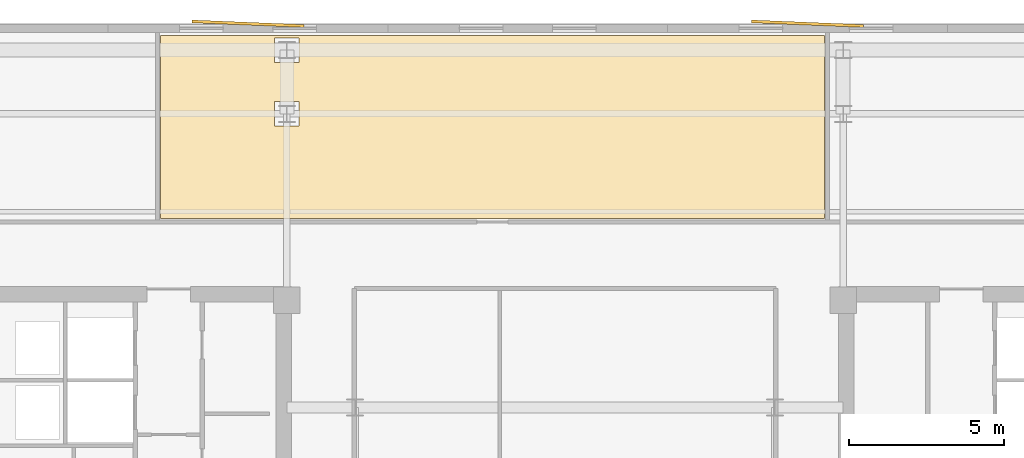
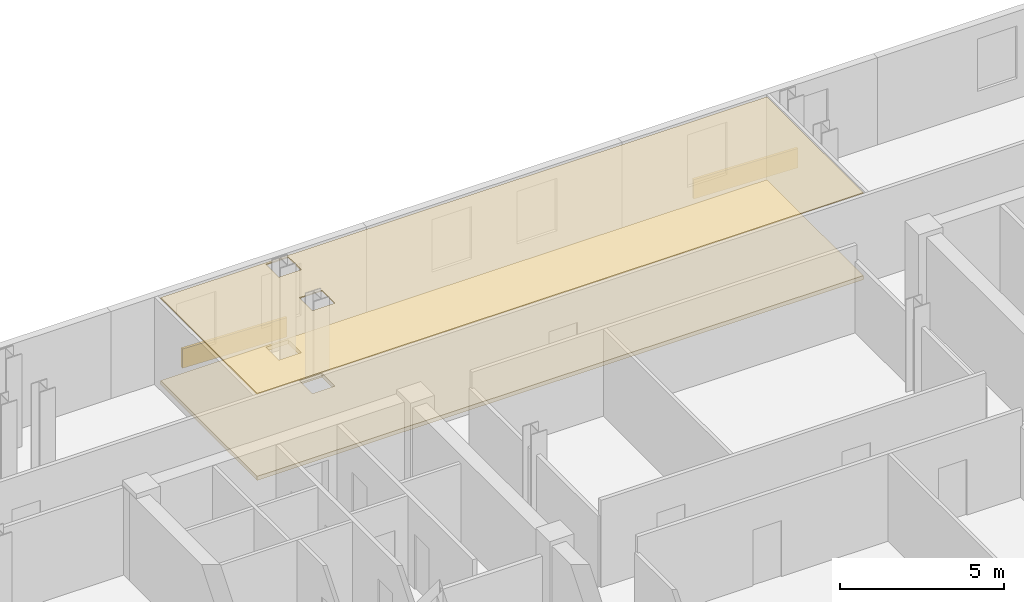
# One storey, part 9 of 9: 4 coverings.
"""IFC4 building model written with IfcOpenShell, lengths in metres."""

import ifcopenshell
import ifcopenshell.guid

model = None  # the IFC model being written
_history = None  # IfcOwnerHistory: only IFC2X3 demands one
_inside = {}  # id of a spatial element -> (the spatial element, [elements in it])
_under = {}  # id of a project, library or spatial element -> (it, [spatial elements below it])
_declared = {}  # id of a project -> (the project, [libraries it declares])
_typed = {}  # id of a type object -> (the type object, [elements of that type])
_made_of = {}  # id of a material, layer set ... -> (it, [elements and type objects made of it])


def new_model(schema):
    """Start an empty IFC model of exactly this schema.

    Asked for "IFC4X3", IfcOpenShell would pick the latest addendum, in which some entities
    have other attributes; the version numbers below select the first issue.
    IFC2X3 requires an IfcOwnerHistory on every rooted entity: one is made here for all.
    """
    global model, _history
    if schema == "IFC4X3":
        model = ifcopenshell.file(schema_version=(4, 3, 0, 0))
    else:
        model = ifcopenshell.file(schema=schema)
    _inside.clear()
    _under.clear()
    _declared.clear()
    _typed.clear()
    _made_of.clear()
    _history = None
    if model.schema == "IFC2X3":
        org = make("IfcOrganization", Name="unknown")
        user = make(
            "IfcPersonAndOrganization",
            ThePerson=make("IfcPerson", FamilyName="unknown"),
            TheOrganization=org,
        )
        app = make(
            "IfcApplication",
            ApplicationDeveloper=org,
            Version="unknown",
            ApplicationFullName="unknown",
            ApplicationIdentifier="unknown",
        )
        _history = make(
            "IfcOwnerHistory",
            OwningUser=user,
            OwningApplication=app,
            ChangeAction="ADDED",
            CreationDate=0,
        )
    return model


def make(cls, **values):
    """One entity of the class cls with the attributes given. An attribute that is None is left unset."""
    return model.create_entity(
        cls, **{name: value for name, value in values.items() if value is not None}
    )


def rooted(cls, **values):
    """An entity with a GlobalId (a new one), such as an element, a storey or a relation."""
    return make(cls, GlobalId=ifcopenshell.guid.new(), OwnerHistory=_history, **values)


def si_unit(unit_type, name, prefix=None):
    """IfcSIUnit, for example si_unit("LENGTHUNIT", "METRE", prefix="MILLI")."""
    return make("IfcSIUnit", UnitType=unit_type, Prefix=prefix, Name=name)


def assignment(units):
    """IfcUnitAssignment: the units of a project."""
    return None if units is None else make("IfcUnitAssignment", Units=units)


def point(xyz):
    """IfcCartesianPoint."""
    return None if xyz is None else make("IfcCartesianPoint", Coordinates=xyz)


def direction(xyz):
    """IfcDirection."""
    return None if xyz is None else make("IfcDirection", DirectionRatios=xyz)


def frame(location, z_axis=None, x_axis=None):
    """IfcAxis2Placement3D, a coordinate frame: its origin and axes. An axis left out is left unset."""
    return make(
        "IfcAxis2Placement3D",
        Location=point(location),
        Axis=direction(z_axis),
        RefDirection=direction(x_axis),
    )


def frame_2d(location, x_axis=None):
    """IfcAxis2Placement2D, a coordinate frame in the plane: its origin and x axis."""
    return make(
        "IfcAxis2Placement2D", Location=point(location), RefDirection=direction(x_axis)
    )


def origin():
    """The frame at (0, 0, 0) with its axes left unset."""
    return frame((0.0, 0.0, 0.0))


def origin_2d():
    """The frame at (0, 0) in the plane with its x axis left unset."""
    return frame_2d((0.0, 0.0))


def place(relative_to, where):
    """IfcLocalPlacement: puts the frame where relative to a parent placement (None: the world)."""
    return make(
        "IfcLocalPlacement", PlacementRelTo=relative_to, RelativePlacement=where
    )


def context(
    kind, dimensions, precision=None, world=None, true_north=None, identifier=None
):
    """IfcGeometricRepresentationContext, for example the 3D "Model" context."""
    return make(
        "IfcGeometricRepresentationContext",
        ContextIdentifier=identifier,
        ContextType=kind,
        CoordinateSpaceDimension=dimensions,
        Precision=precision,
        WorldCoordinateSystem=world,
        TrueNorth=true_north,
    )


def subcontext(parent, identifier, kind, view, scale=None):
    """IfcGeometricRepresentationSubContext, for example "Body" below "Model"."""
    return make(
        "IfcGeometricRepresentationSubContext",
        ContextIdentifier=identifier,
        ContextType=kind,
        ParentContext=parent,
        TargetScale=scale,
        TargetView=view,
    )


def project(units=None, contexts=None):
    """IfcProject with its units and contexts."""
    return rooted(
        "IfcProject",
        Name="project",
        RepresentationContexts=contexts,
        UnitsInContext=assignment(units),
    )


def spatial(cls, under=None, at=None, **own):
    """A site, building, storey or space (cls), placed at a placement, below another one or the project."""
    s = rooted(cls, ObjectPlacement=at, **own)
    if under is not None:
        _under.setdefault(under.id(), (under, []))[1].append(s)
    return s


def polyline(points):
    """IfcPolyline through the points."""
    return make("IfcPolyline", Points=[point(p) for p in points])


def profile(cls, at=None, kind="AREA", **sizes):
    """A parametric profile (cls). Its sizes go by their IFC names, for example OverallWidth=200.0."""
    return make(cls, ProfileType=kind, Position=at, **sizes)


def rectangle(**sizes):
    """IfcRectangleProfileDef."""
    return profile("IfcRectangleProfileDef", **sizes)


def outline(outer, holes=None, kind="AREA"):
    """IfcArbitraryClosedProfileDef: a profile drawn as a closed curve; with holes, ...WithVoids."""
    if holes is None:
        return make("IfcArbitraryClosedProfileDef", ProfileType=kind, OuterCurve=outer)
    return make(
        "IfcArbitraryProfileDefWithVoids",
        ProfileType=kind,
        OuterCurve=outer,
        InnerCurves=holes,
    )


def extrude(swept, where, along, depth):
    """IfcExtrudedAreaSolid: the profile swept, set in the frame where, extruded along a direction by depth."""
    return make(
        "IfcExtrudedAreaSolid",
        SweptArea=swept,
        Position=where,
        ExtrudedDirection=direction(along),
        Depth=depth,
    )


def shape(context_of_items, identifier, shape_type, items):
    """IfcShapeRepresentation: the items that make up one representation, for example the "Body"."""
    return make(
        "IfcShapeRepresentation",
        ContextOfItems=context_of_items,
        RepresentationIdentifier=identifier,
        RepresentationType=shape_type,
        Items=items,
    )


def material(Name=None, Category=None):
    """IfcMaterial."""
    return make("IfcMaterial", Name=Name, Category=Category)


def layer(
    of_material, thickness, ventilated=None, Name=None, Category=None, Priority=None
):
    """IfcMaterialLayer: one layer of a wall or slab, of a material (None: an air gap)."""
    return make(
        "IfcMaterialLayer",
        Material=of_material,
        LayerThickness=thickness,
        IsVentilated=ventilated,
        Name=Name,
        Category=Category,
        Priority=Priority,
    )


def layer_set(layers, Name=None):
    """IfcMaterialLayerSet."""
    return make("IfcMaterialLayerSet", MaterialLayers=layers, LayerSetName=Name)


def made_of(thing, what):
    """Note that an element or type object is made of a material, layer set ...; save() writes the relation."""
    if what is not None:
        _made_of.setdefault(what.id(), (what, []))[1].append(thing)
    return thing


def type_object(cls, material=None, **own):
    """A type object (cls), such as IfcWallType, which elements share."""
    return made_of(rooted(cls, **own), material)


def element(
    cls,
    number,
    at=None,
    inside=None,
    cuts=None,
    type_object=None,
    material=None,
    context=None,
    identifier="Body",
    shape_type=None,
    held_by="IfcProductDefinitionShape",
    body=None,
    shapes=None,
    **own,
):
    """One element of the class cls, such as IfcWall. Its Tag is "e" and its number.

    at: its placement. inside: the storey or other place that contains it. cuts: it is an
    opening in that element (IfcRelVoidsElement). A single representation is given by context,
    identifier, shape_type and body (its items); several are given by shapes. held_by: the class
    of the entity that holds the representations. save() writes the other relations.
    """
    e = rooted(cls, Tag="e%d" % number, ObjectPlacement=at, **own)
    if body is not None:
        shapes = [shape(context, identifier, shape_type, body)]
    if shapes is not None:
        e.Representation = make(held_by, Representations=shapes)
    if inside is not None:
        _inside.setdefault(inside.id(), (inside, []))[1].append(e)
    if cuts is not None:
        rooted(
            "IfcRelVoidsElement", RelatingBuildingElement=cuts, RelatedOpeningElement=e
        )
    if type_object is not None:
        _typed.setdefault(type_object.id(), (type_object, []))[1].append(e)
    return made_of(e, material)


def aggregate(whole, parts):
    """IfcRelAggregates: a whole, such as a stair, and the parts it consists of."""
    return rooted("IfcRelAggregates", RelatingObject=whole, RelatedObjects=parts)


def save(model, path):
    """Write the relations noted so far, then the file.

    IfcRelAggregates (storeys below a building ...), IfcRelContainedInSpatialStructure (elements
    in a storey), IfcRelDefinesByType, IfcRelAssociatesMaterial and IfcRelDeclares: one each for
    every whole, place, type object, material and project.
    """
    for whole, parts in _under.values():
        aggregate(whole, parts)
    for where, things in _inside.values():
        rooted(
            "IfcRelContainedInSpatialStructure",
            RelatedElements=things,
            RelatingStructure=where,
        )
    for kind, things in _typed.values():
        rooted("IfcRelDefinesByType", RelatedObjects=things, RelatingType=kind)
    for what, things in _made_of.values():
        rooted("IfcRelAssociatesMaterial", RelatedObjects=things, RelatingMaterial=what)
    for by, libraries in _declared.values():
        rooted("IfcRelDeclares", RelatingContext=by, RelatedDefinitions=libraries)
    model.write(path)


model = new_model("IFC4")

# Units and contexts
model_context = context("Model", 3, precision=1e-05, world=origin(), true_north=direction((0.0, 1.0)))
body_context = subcontext(model_context, "Body", "Model", "MODEL_VIEW")
ifc_project = project(units=[si_unit("LENGTHUNIT", "METRE"), si_unit("AREAUNIT", "SQUARE_METRE"), si_unit("VOLUMEUNIT", "CUBIC_METRE"), si_unit("PLANEANGLEUNIT", "RADIAN"), si_unit("MASSUNIT", "GRAM", prefix="KILO")], contexts=[model_context])

# Site, building, storey
site_placement = place(None, origin())
site = spatial("IfcSite", under=ifc_project, at=site_placement, CompositionType="ELEMENT")
building_placement = place(site_placement, origin())
building = spatial("IfcBuilding", under=site, at=building_placement, Name="Velakula Bourse", CompositionType="ELEMENT")
storey_placement = place(building_placement, frame((0.0, 0.0, 208.5)))
storey = spatial("IfcBuildingStorey", under=building, at=storey_placement, Name="L56", CompositionType="ELEMENT", Elevation=208.5)

# Coverings
ifc_material_1 = material(Name="Red kilned clay facing brick masonry", Category="masonry")
ifc_layer_1 = layer(ifc_material_1, 0.090087890625, Name="Red kilned clay facing brick masonry", Category="masonry")
ifc_layer_set_1 = layer_set([ifc_layer_1], Name="Red kilned clay facing brick masonry")
covering_type_1 = type_object("IfcCoveringType", Name="COV-BRK-FOLD-90", PredefinedType="CLADDING", material=ifc_layer_set_1)
for number, where, z_axis, x_axis, name in (
    (1, (-10.199951171875, 17.5, 0.0), (0.0, 0.0, 1.0), (0.999158993058, -0.041003738744, 0.0), "L56 Folded Brick Facade Cladding Panel N-B2"),
    (2, (7.800048828125, 17.5, 0.0), (0.0, 0.0, 1.0), (0.999158993058, -0.041003738744, 0.0), "L56 Folded Brick Facade Cladding Panel N-B4"),
):
    element("IfcCovering", number, at=place(storey_placement, frame(where, z_axis=z_axis, x_axis=x_axis)), inside=storey, type_object=covering_type_1, Name=name, PredefinedType="CLADDING", context=body_context, shape_type="SweptSolid", body=[
        extrude(rectangle(XDim=3.60009765625, YDim=0.090087890625, at=origin_2d()), origin(), (0.0, 0.0, 1.0), 0.719970703125),
    ])
ifc_material_2 = material(Name="Mineral-fibre acoustic suspended ceiling tile", Category="mineral")
ifc_layer_2 = layer(ifc_material_2, 0.0400390625, Name="Mineral-fibre acoustic suspended ceiling tile", Category="mineral")
ifc_layer_set_2 = layer_set([ifc_layer_2], Name="Mineral-fibre acoustic suspended ceiling tile")
covering_type_2 = type_object("IfcCoveringType", Name="COV-CEIL-AC-40", PredefinedType="CEILING", material=ifc_layer_set_2)
covering_1_placement = place(storey_placement, frame((0.0, 0.0, 3.199951171875)))
element("IfcCovering", 3, at=covering_1_placement, inside=storey, type_object=covering_type_2, Name="L56 Peer Review Boardroom Acoustic Suspended Ceiling", PredefinedType="CEILING", context=body_context, shape_type="SweptSolid", body=[
    extrude(outline(polyline([(8.342041015625, 11.22998046875), (-13.010986328125, 11.22998046875), (-13.010986328125, 17.1201171875), (8.342041015625, 17.1201171875), (8.342041015625, 11.22998046875)]), holes=[polyline([(-9.344970703125, 14.205078125), (-8.554931640625, 14.205078125), (-8.554931640625, 14.9951171875), (-9.344970703125, 14.9951171875), (-9.344970703125, 14.205078125)]), polyline([(-9.344970703125, 16.2548828125), (-8.554931640625, 16.2548828125), (-8.554931640625, 17.044921875), (-9.344970703125, 17.044921875), (-9.344970703125, 16.2548828125)])]), origin(), (0.0, 0.0, 1.0), 0.0400390625),
])
ifc_material_3 = material(Name="Calcium-sulphate antistatic raised access flooring", Category="gypsum")
ifc_layer_3 = layer(ifc_material_3, 0.14990234375, Name="Calcium-sulphate antistatic raised access flooring", Category="gypsum")
ifc_layer_set_3 = layer_set([ifc_layer_3], Name="Calcium-sulphate antistatic raised access flooring")
covering_type_3 = type_object("IfcCoveringType", Name="COV-FLR-RAISED-150", PredefinedType="FLOORING", material=ifc_layer_set_3)
covering_2_placement = place(storey_placement, origin())
element("IfcCovering", 4, at=covering_2_placement, inside=storey, type_object=covering_type_3, Name="L56 Peer Review Boardroom Raised Trading Access Floor", PredefinedType="FLOORING", context=body_context, shape_type="SweptSolid", body=[
    extrude(outline(polyline([(8.342041015625, 11.22998046875), (-13.010986328125, 11.22998046875), (-13.010986328125, 17.1201171875), (8.342041015625, 17.1201171875), (8.342041015625, 11.22998046875)]), holes=[polyline([(-9.344970703125, 14.205078125), (-8.554931640625, 14.205078125), (-8.554931640625, 14.9951171875), (-9.344970703125, 14.9951171875), (-9.344970703125, 14.205078125)]), polyline([(-9.344970703125, 16.2548828125), (-8.554931640625, 16.2548828125), (-8.554931640625, 17.044921875), (-9.344970703125, 17.044921875), (-9.344970703125, 16.2548828125)])]), origin(), (0.0, 0.0, 1.0), 0.14990234375),
])

save(model, "model.ifc")
